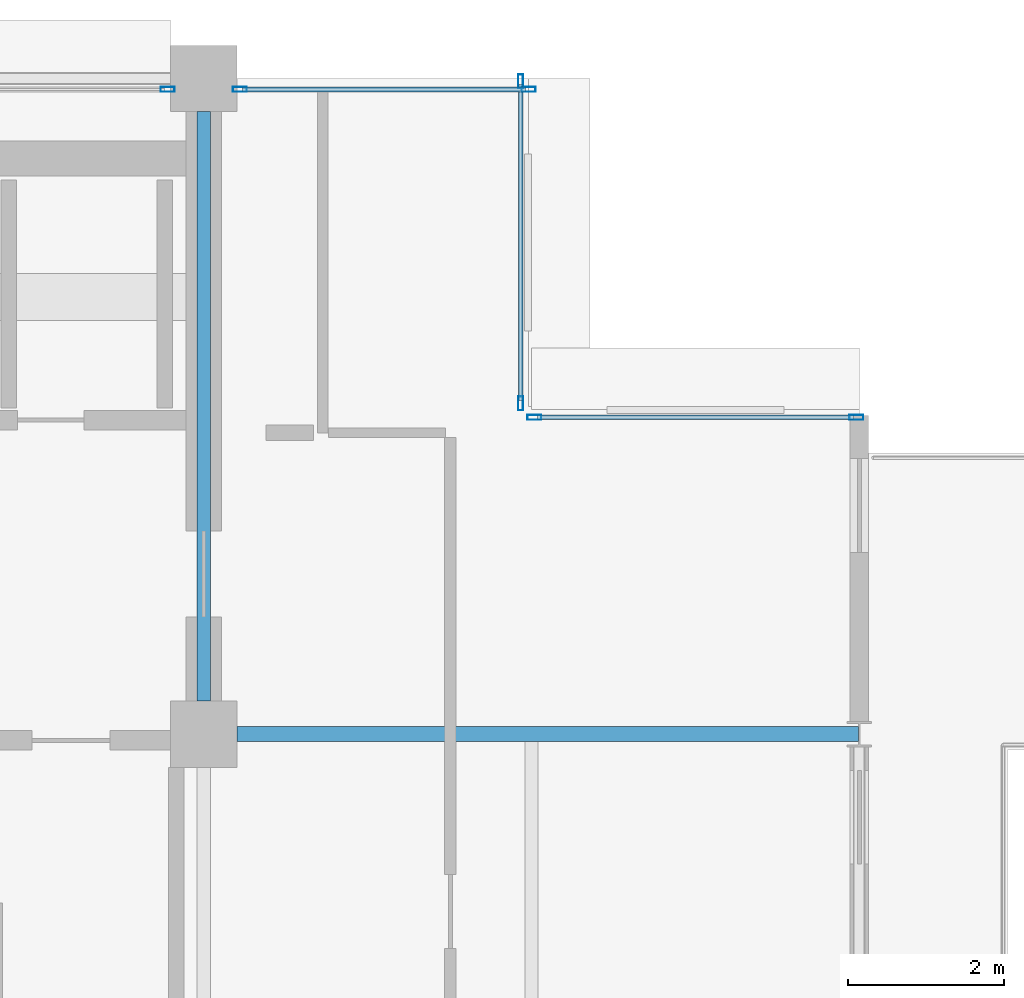
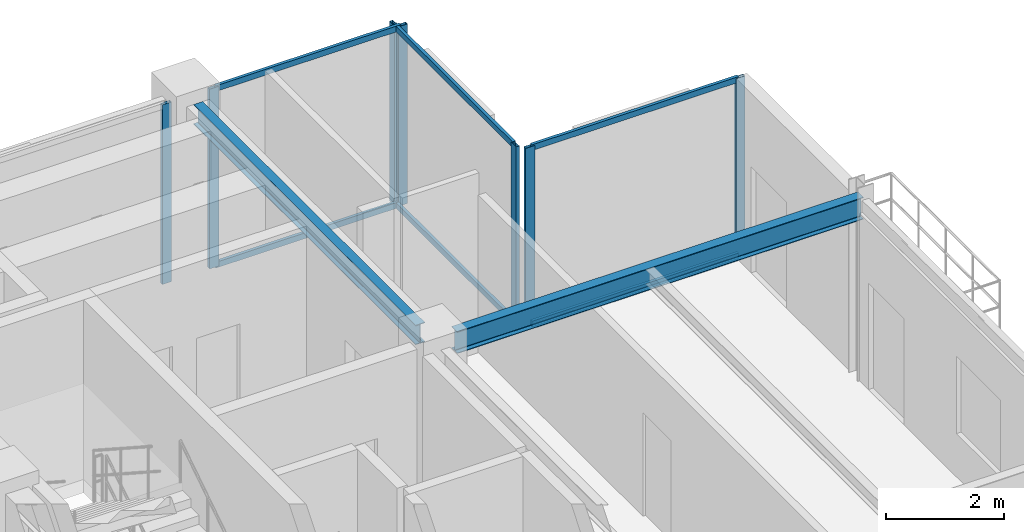
# One storey, part 19 of 27: 13 members, 2 beams, 4 elements without a shape of their own.
"""IFC4 building model written with IfcOpenShell, lengths in metres."""

from ifc_helpers import new_model, si_unit, direction, frame, origin, origin_2d, place, context, subcontext, project, spatial, hollow_rectangle, i_section, extrude, material, layer, layer_set, material_profile, profile_set, type_object, element, aggregate, save


model = new_model("IFC4")

# Units and contexts
model_context = context("Model", 3, precision=1e-05, world=origin(), true_north=direction((0.0, 1.0)))
body_context = subcontext(model_context, "Body", "Model", "MODEL_VIEW")
ifc_project = project(units=[si_unit("LENGTHUNIT", "METRE"), si_unit("AREAUNIT", "SQUARE_METRE"), si_unit("VOLUMEUNIT", "CUBIC_METRE"), si_unit("PLANEANGLEUNIT", "RADIAN"), si_unit("MASSUNIT", "GRAM", prefix="KILO")], contexts=[model_context])

# Site, building, storey
site_placement = place(None, origin())
site = spatial("IfcSite", under=ifc_project, at=site_placement, CompositionType="ELEMENT")
building_placement = place(site_placement, origin())
building = spatial("IfcBuilding", under=site, at=building_placement, Name="Nerrivon Quay Data Exchange", CompositionType="ELEMENT")
storey_placement = place(building_placement, frame((0.0, 0.0, 254.199951171875)))
storey = spatial("IfcBuildingStorey", under=building, at=storey_placement, Name="L60", CompositionType="ELEMENT", Elevation=254.199951171875)

# Beams
ifc_material_1 = material(Name="Steel Grade 350", Category="steel")
ifc_material_profile_1 = material_profile(ifc_material_1, i_section(OverallWidth=0.18994140625, OverallDepth=0.4541015625, WebThickness=0.008544921875, FlangeThickness=0.0126953125, FilletRadius=0.011474609375, at=origin_2d()), Name="460UB67.1")
ifc_profile_set_1 = profile_set([ifc_material_profile_1], Name="Steel Grade 350")
beam_type_1 = type_object("IfcBeamType", Name="BM-G6-460UB67", PredefinedType="BEAM", material=ifc_profile_set_1)
beam_1_placement = place(storey_placement, frame((17.22509765625, 33.60009765625, 3.498046875), z_axis=(1.0, 0.0, 0.0), x_axis=(0.0, 1.0, 0.0)))
element("IfcBeam", 1, at=beam_1_placement, inside=storey, type_object=beam_type_1, Name="L60 EW Girder Y=33.6 (16.8..25.2)", PredefinedType="BEAM", context=body_context, shape_type="SweptSolid", body=[
    extrude(i_section(OverallWidth=0.18994140625, OverallDepth=0.4541015625, WebThickness=0.008544921875, FlangeThickness=0.0126953125, FilletRadius=0.011474609375, at=origin_2d()), origin(), (0.0, 0.0, 1.0), 7.967041015625),
])
ifc_material_profile_2 = material_profile(ifc_material_1, i_section(OverallWidth=0.177978515625, OverallDepth=0.406005859375, WebThickness=0.0078125, FlangeThickness=0.0126953125, FilletRadius=0.011474609375, at=origin_2d()), Name="410UB59.7")
ifc_profile_set_2 = profile_set([ifc_material_profile_2], Name="Steel Grade 350")
beam_type_2 = type_object("IfcBeamType", Name="BM-J1-410UB60", PredefinedType="JOIST", material=ifc_profile_set_2)
beam_2_placement = place(storey_placement, frame((16.800048828125, 34.02490234375, 3.52197265625), z_axis=(0.0, 1.0, 0.0), x_axis=(-1.0, 0.0, 0.0)))
element("IfcBeam", 2, at=beam_2_placement, inside=storey, type_object=beam_type_2, Name="L60 NS Girder X=16.8 (33.6..42.0)", PredefinedType="JOIST", context=body_context, shape_type="SweptSolid", body=[
    extrude(i_section(OverallWidth=0.177978515625, OverallDepth=0.406005859375, WebThickness=0.0078125, FlangeThickness=0.0126953125, FilletRadius=0.011474609375, at=origin_2d()), origin(), (0.0, 0.0, 1.0), 7.550048828125),
])

# Curtain wall, member
ifc_material_2 = material(Name="Anodised aluminium 6063-T6", Category="aluminium")
ifc_layer = layer(ifc_material_2, 0.195068359375)
ifc_layer_set = layer_set([ifc_layer], Name="Anodised aluminium 6063-T6")
curtain_wall_type = type_object("IfcCurtainWallType", Name="CW-SYS-06", PredefinedType="NOTDEFINED", material=ifc_layer_set)
curtain_wall_1_placement = place(storey_placement, origin())
curtain_wall_1 = element("IfcCurtainWall", 3, at=curtain_wall_1_placement, inside=storey, type_object=curtain_wall_type, Name="L60 Unitised Curtain Wall 18", PredefinedType="NOTDEFINED")
ifc_material_profile_3 = material_profile(ifc_material_2, hollow_rectangle(XDim=0.06494140625, YDim=0.179931640625, WallThickness=0.00341796875, at=origin_2d()), Name="ALU-MULL-180x65")
ifc_profile_set_3 = profile_set([ifc_material_profile_3], Name="Anodised aluminium 6063-T6")
member_type_1 = type_object("IfcMemberType", Name="CWM-180x65", PredefinedType="MULLION", material=ifc_profile_set_3)
member_1_placement = place(storey_placement, frame((16.33740234375, 41.860107421875, 0.0), z_axis=(0.0, 0.0, 1.0), x_axis=(0.0, 1.0, 0.0)))
member_1 = element("IfcMember", 4, at=member_1_placement, type_object=member_type_1, Name="CW06 mullion 2", PredefinedType="MULLION", context=body_context, shape_type="SweptSolid", body=[
    extrude(hollow_rectangle(XDim=0.06494140625, YDim=0.179931640625, WallThickness=0.00341796875, at=origin_2d()), origin(), (0.0, 0.0, 1.0), 3.72509765625),
])
aggregate(curtain_wall_1, [member_1])

# Curtain wall, members
curtain_wall_2_placement = place(storey_placement, origin())
curtain_wall_2 = element("IfcCurtainWall", 5, at=curtain_wall_2_placement, inside=storey, type_object=curtain_wall_type, Name="L60 Unitised Curtain Wall 19", PredefinedType="NOTDEFINED")
member_2_placement = place(storey_placement, frame((17.262451171875, 41.860107421875, 0.0), z_axis=(0.0, 0.0, 1.0), x_axis=(0.0, 1.0, 0.0)))
member_2 = element("IfcMember", 6, at=member_2_placement, type_object=member_type_1, Name="CW06 mullion 1", PredefinedType="MULLION", context=body_context, shape_type="SweptSolid", body=[
    extrude(hollow_rectangle(XDim=0.06494140625, YDim=0.179931640625, WallThickness=0.00341796875, at=origin_2d()), origin(), (0.0, 0.0, 1.0), 3.72509765625),
])
member_3_placement = place(storey_placement, frame((20.96240234375, 41.860107421875, 0.0), z_axis=(0.0, 0.0, 1.0), x_axis=(0.0, 1.0, 0.0)))
member_3 = element("IfcMember", 7, at=member_3_placement, type_object=member_type_1, Name="CW06 mullion 2", PredefinedType="MULLION", context=body_context, shape_type="SweptSolid", body=[
    extrude(hollow_rectangle(XDim=0.06494140625, YDim=0.179931640625, WallThickness=0.00341796875, at=origin_2d()), origin(), (0.0, 0.0, 1.0), 3.72509765625),
])

curtain_wall_3_placement = place(storey_placement, origin())
curtain_wall_3 = element("IfcCurtainWall", 8, at=curtain_wall_3_placement, inside=storey, type_object=curtain_wall_type, Name="L60 Unitised Curtain Wall 20", PredefinedType="NOTDEFINED")
member_4_placement = place(storey_placement, frame((20.860107421875, 41.96240234375, 0.0), z_axis=(0.0, 0.0, 1.0), x_axis=(1.0, 0.0, 0.0)))
member_4 = element("IfcMember", 9, at=member_4_placement, type_object=member_type_1, Name="CW06 mullion 1", PredefinedType="MULLION", context=body_context, shape_type="SweptSolid", body=[
    extrude(hollow_rectangle(XDim=0.06494140625, YDim=0.179931640625, WallThickness=0.00341796875, at=origin_2d()), origin(), (0.0, 0.0, 1.0), 3.72509765625),
])
member_5_placement = place(storey_placement, frame((20.860107421875, 37.83740234375, 0.0), z_axis=(0.0, 0.0, 1.0), x_axis=(1.0, 0.0, 0.0)))
member_5 = element("IfcMember", 10, at=member_5_placement, type_object=member_type_1, Name="CW06 mullion 2", PredefinedType="MULLION", context=body_context, shape_type="SweptSolid", body=[
    extrude(hollow_rectangle(XDim=0.06494140625, YDim=0.179931640625, WallThickness=0.00341796875, at=origin_2d()), origin(), (0.0, 0.0, 1.0), 3.72509765625),
])

curtain_wall_4_placement = place(storey_placement, origin())
curtain_wall_4 = element("IfcCurtainWall", 11, at=curtain_wall_4_placement, inside=storey, type_object=curtain_wall_type, Name="L60 Unitised Curtain Wall 21", PredefinedType="NOTDEFINED")
member_6_placement = place(storey_placement, frame((21.03759765625, 37.659912109375, 0.0), z_axis=(0.0, 0.0, 1.0), x_axis=(0.0, 1.0, 0.0)))
member_6 = element("IfcMember", 12, at=member_6_placement, type_object=member_type_1, Name="CW06 mullion 1", PredefinedType="MULLION", context=body_context, shape_type="SweptSolid", body=[
    extrude(hollow_rectangle(XDim=0.06494140625, YDim=0.179931640625, WallThickness=0.00341796875, at=origin_2d()), origin(), (0.0, 0.0, 1.0), 3.72509765625),
])
member_7_placement = place(storey_placement, frame((25.16259765625, 37.659912109375, 0.0), z_axis=(0.0, 0.0, 1.0), x_axis=(0.0, 1.0, 0.0)))
member_7 = element("IfcMember", 13, at=member_7_placement, type_object=member_type_1, Name="CW06 mullion 2", PredefinedType="MULLION", context=body_context, shape_type="SweptSolid", body=[
    extrude(hollow_rectangle(XDim=0.06494140625, YDim=0.179931640625, WallThickness=0.00341796875, at=origin_2d()), origin(), (0.0, 0.0, 1.0), 3.72509765625),
])

# Member
ifc_material_profile_4 = material_profile(ifc_material_2, hollow_rectangle(XDim=0.06005859375, YDim=0.1201171875, WallThickness=0.003173828125, at=origin_2d()), Name="ALU-TRAN-120x60")
ifc_profile_set_4 = profile_set([ifc_material_profile_4], Name="Anodised aluminium 6063-T6")
member_type_2 = type_object("IfcMemberType", Name="CWT-120x60", PredefinedType="USERDEFINED", material=ifc_profile_set_4)
member_8_placement = place(storey_placement, frame((17.300048828125, 41.860107421875, 0.032470703125), z_axis=(1.0, 0.0, 0.0), x_axis=(0.0, 1.0, 0.0)))
member_8 = element("IfcMember", 14, at=member_8_placement, type_object=member_type_2, Name="CW06 transom 1.1", ObjectType="TRANSOM", PredefinedType="USERDEFINED", context=body_context, shape_type="SweptSolid", body=[
    extrude(hollow_rectangle(XDim=0.06005859375, YDim=0.1201171875, WallThickness=0.003173828125, at=origin_2d()), origin(), (0.0, 0.0, 1.0), 3.625),
])

member_9_placement = place(storey_placement, frame((17.300048828125, 41.860107421875, 3.692626953125), z_axis=(1.0, 0.0, 0.0), x_axis=(0.0, 1.0, 0.0)))
member_9 = element("IfcMember", 15, at=member_9_placement, type_object=member_type_2, Name="CW06 transom 1.2", ObjectType="TRANSOM", PredefinedType="USERDEFINED", context=body_context, shape_type="SweptSolid", body=[
    extrude(hollow_rectangle(XDim=0.06005859375, YDim=0.1201171875, WallThickness=0.003173828125, at=origin_2d()), origin(), (0.0, 0.0, 1.0), 3.625),
])

aggregate(curtain_wall_2, [member_2, member_3, member_8, member_9])

member_10_placement = place(storey_placement, frame((20.860107421875, 41.925048828125, 0.032470703125), z_axis=(0.0, -1.0, 0.0), x_axis=(1.0, 0.0, 0.0)))
member_10 = element("IfcMember", 16, at=member_10_placement, type_object=member_type_2, Name="CW06 transom 1.1", ObjectType="TRANSOM", PredefinedType="USERDEFINED", context=body_context, shape_type="SweptSolid", body=[
    extrude(hollow_rectangle(XDim=0.06005859375, YDim=0.1201171875, WallThickness=0.003173828125, at=origin_2d()), origin(), (0.0, 0.0, 1.0), 4.050048828125),
])

member_11_placement = place(storey_placement, frame((20.860107421875, 41.925048828125, 3.692626953125), z_axis=(0.0, -1.0, 0.0), x_axis=(1.0, 0.0, 0.0)))
member_11 = element("IfcMember", 17, at=member_11_placement, type_object=member_type_2, Name="CW06 transom 1.2", ObjectType="TRANSOM", PredefinedType="USERDEFINED", context=body_context, shape_type="SweptSolid", body=[
    extrude(hollow_rectangle(XDim=0.06005859375, YDim=0.1201171875, WallThickness=0.003173828125, at=origin_2d()), origin(), (0.0, 0.0, 1.0), 4.050048828125),
])

aggregate(curtain_wall_3, [member_4, member_5, member_10, member_11])

member_12_placement = place(storey_placement, frame((21.074951171875, 37.659912109375, 0.032470703125), z_axis=(1.0, 0.0, 0.0), x_axis=(0.0, 1.0, 0.0)))
member_12 = element("IfcMember", 18, at=member_12_placement, type_object=member_type_2, Name="CW06 transom 1.1", ObjectType="TRANSOM", PredefinedType="USERDEFINED", context=body_context, shape_type="SweptSolid", body=[
    extrude(hollow_rectangle(XDim=0.06005859375, YDim=0.1201171875, WallThickness=0.003173828125, at=origin_2d()), origin(), (0.0, 0.0, 1.0), 4.050048828125),
])

member_13_placement = place(storey_placement, frame((21.074951171875, 37.659912109375, 3.692626953125), z_axis=(1.0, 0.0, 0.0), x_axis=(0.0, 1.0, 0.0)))
member_13 = element("IfcMember", 19, at=member_13_placement, type_object=member_type_2, Name="CW06 transom 1.2", ObjectType="TRANSOM", PredefinedType="USERDEFINED", context=body_context, shape_type="SweptSolid", body=[
    extrude(hollow_rectangle(XDim=0.06005859375, YDim=0.1201171875, WallThickness=0.003173828125, at=origin_2d()), origin(), (0.0, 0.0, 1.0), 4.050048828125),
])

aggregate(curtain_wall_4, [member_6, member_7, member_12, member_13])

save(model, "model.ifc")
